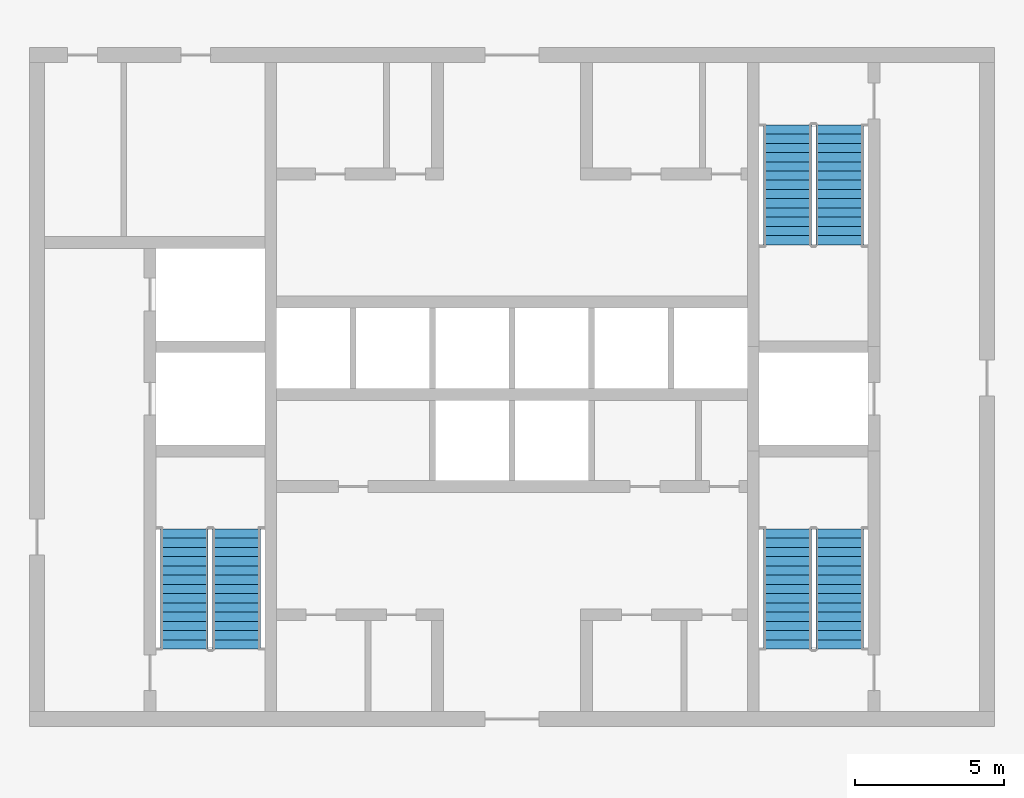
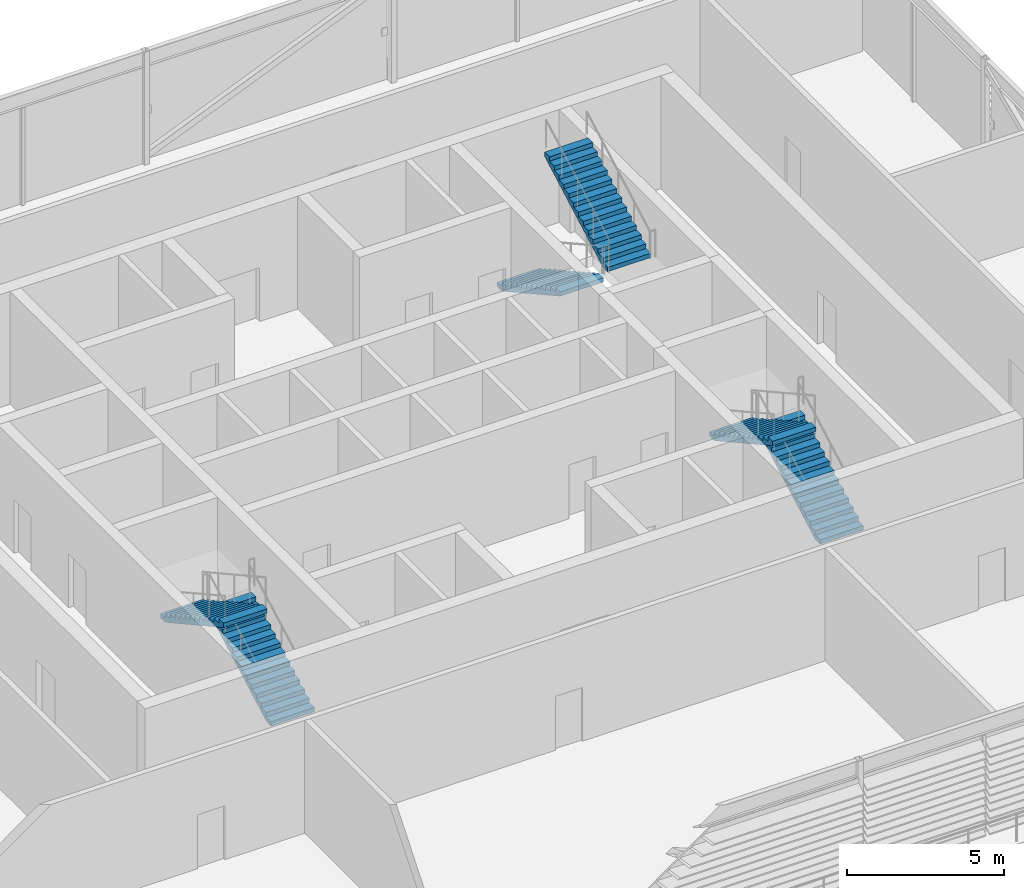
# One storey, part 17 of 29: 6 stair flights, 3 elements without a shape of their own.
"""IFC4 building model written with IfcOpenShell, lengths in metres."""

from ifc_helpers import new_model, si_unit, direction, frame, origin, place, context, subcontext, project, spatial, polyline, outline, extrude, material, type_object, element, aggregate, save


model = new_model("IFC4")

# Units and contexts
model_context = context("Model", 3, precision=1e-05, world=origin(), true_north=direction((0.0, 1.0)))
body_context = subcontext(model_context, "Body", "Model", "MODEL_VIEW")
ifc_project = project(units=[si_unit("LENGTHUNIT", "METRE"), si_unit("AREAUNIT", "SQUARE_METRE"), si_unit("VOLUMEUNIT", "CUBIC_METRE"), si_unit("PLANEANGLEUNIT", "RADIAN"), si_unit("MASSUNIT", "GRAM", prefix="KILO")], contexts=[model_context])

# Site, building, storey
site_placement = place(None, origin())
site = spatial("IfcSite", under=ifc_project, at=site_placement, CompositionType="ELEMENT")
building_placement = place(site_placement, origin())
building = spatial("IfcBuilding", under=site, at=building_placement, Name="Madar Terraces", CompositionType="ELEMENT")
storey_placement = place(building_placement, frame((0.0, 0.0, 296.300048828125)))
storey = spatial("IfcBuildingStorey", under=building, at=storey_placement, Name="L77", CompositionType="ELEMENT", Elevation=296.300048828125)

# Stair, stair flights
ifc_material_1 = material(Name="Concrete C50/60", Category="concrete")
stair_type_1 = type_object("IfcStairType", Name="Stair ST1 protected exit", PredefinedType="HALF_TURN_STAIR", material=ifc_material_1)
stair_1_placement = place(storey_placement, origin())
stair_1 = element("IfcStair", 1, at=stair_1_placement, inside=storey, type_object=stair_type_1, Name="L77 Protected Exit Stair ST1", PredefinedType="HALF_TURN_STAIR")
ifc_material_2 = material(Name="Concrete C50/60", Category="concrete")
stair_flight_type_1 = type_object("IfcStairFlightType", Name="Stair flight ST1-F5, 1600 wide, 14 risers", PredefinedType="STRAIGHT", material=ifc_material_2)
stair_flight_1_placement = place(storey_placement, frame((21.949951171875, 17.60009765625, 0.0), z_axis=(0.0, 0.0, 1.0), x_axis=(0.0, 1.0, 0.0)))
stair_flight_1 = element("IfcStairFlight", 2, at=stair_flight_1_placement, type_object=stair_flight_type_1, Name="ST1 flight 1", NumberOfRisers=14, NumberOfTreads=13, PredefinedType="STRAIGHT", RiserHeight=0.171428571, TreadLength=0.31, context=body_context, shape_type="SweptSolid", body=[
    extrude(outline(polyline([(0.0, 0.0), (0.0, 0.17138671875), (0.31005859375, 0.17138671875), (0.31005859375, 0.3427734375), (0.6201171875, 0.3427734375), (0.6201171875, 0.514404296875), (0.929931640625, 0.514404296875), (0.929931640625, 0.685791015625), (1.239990234375, 0.685791015625), (1.239990234375, 0.857177734375), (1.550048828125, 0.857177734375), (1.550048828125, 1.028564453125), (1.860107421875, 1.028564453125), (1.860107421875, 1.199951171875), (2.169921875, 1.199951171875), (2.169921875, 1.371337890625), (2.47998046875, 1.371337890625), (2.47998046875, 1.54296875), (2.7900390625, 1.54296875), (2.7900390625, 1.71435546875), (3.10009765625, 1.71435546875), (3.10009765625, 1.8857421875), (3.409912109375, 1.8857421875), (3.409912109375, 2.05712890625), (3.719970703125, 2.05712890625), (3.719970703125, 2.228515625), (4.030029296875, 2.228515625), (4.030029296875, 2.39990234375), (4.030029296875, 2.057373046875), (0.309814453125, 0.0), (0.0, 0.0)])), frame((0.0, 0.800048828125, 0.0), z_axis=(0.0, -1.0, 0.0), x_axis=(1.0, 0.0, 0.0)), (0.0, 0.0, 1.0), 1.60009765625),
])
stair_flight_2_placement = place(storey_placement, frame((20.199951171875, 21.6298828125, 2.39990234375), z_axis=(0.0, 0.0, 1.0), x_axis=(0.0, -1.0, 0.0)))
stair_flight_2 = element("IfcStairFlight", 3, at=stair_flight_2_placement, type_object=stair_flight_type_1, Name="ST1 flight 2", NumberOfRisers=14, NumberOfTreads=13, PredefinedType="STRAIGHT", RiserHeight=0.171428571, TreadLength=0.31, context=body_context, shape_type="SweptSolid", body=[
    extrude(outline(polyline([(0.0, 0.0), (0.0, 0.17138671875), (0.31005859375, 0.17138671875), (0.31005859375, 0.3427734375), (0.6201171875, 0.3427734375), (0.6201171875, 0.514404296875), (0.929931640625, 0.514404296875), (0.929931640625, 0.685791015625), (1.239990234375, 0.685791015625), (1.239990234375, 0.857177734375), (1.550048828125, 0.857177734375), (1.550048828125, 1.028564453125), (1.860107421875, 1.028564453125), (1.860107421875, 1.199951171875), (2.169921875, 1.199951171875), (2.169921875, 1.371337890625), (2.47998046875, 1.371337890625), (2.47998046875, 1.54296875), (2.7900390625, 1.54296875), (2.7900390625, 1.71435546875), (3.10009765625, 1.71435546875), (3.10009765625, 1.8857421875), (3.409912109375, 1.8857421875), (3.409912109375, 2.05712890625), (3.719970703125, 2.05712890625), (3.719970703125, 2.228515625), (4.030029296875, 2.228515625), (4.030029296875, 2.39990234375), (4.030029296875, 2.057373046875), (0.309814453125, 0.0), (0.0, 0.0)])), frame((0.0, 0.800048828125, 0.0), z_axis=(0.0, -1.0, 0.0), x_axis=(1.0, 0.0, 0.0)), (0.0, 0.0, 1.0), 1.60009765625),
])
aggregate(stair_1, [stair_flight_1, stair_flight_2])

ifc_material_3 = material(Name="Concrete C50/60", Category="concrete")
stair_type_2 = type_object("IfcStairType", Name="Stair ST2 protected exit", PredefinedType="HALF_TURN_STAIR", material=ifc_material_3)
stair_2_placement = place(storey_placement, origin())
stair_2 = element("IfcStair", 4, at=stair_2_placement, inside=storey, type_object=stair_type_2, Name="L77 Protected Exit Stair ST2", PredefinedType="HALF_TURN_STAIR")
ifc_material_4 = material(Name="Concrete C50/60", Category="concrete")
stair_flight_type_2 = type_object("IfcStairFlightType", Name="Stair flight ST2-F5, 1600 wide, 14 risers", PredefinedType="STRAIGHT", material=ifc_material_4)
stair_flight_3_placement = place(storey_placement, frame((40.449951171875, 35.199951171875, 0.0), z_axis=(0.0, 0.0, 1.0), x_axis=(0.0, -1.0, 0.0)))
stair_flight_3 = element("IfcStairFlight", 5, at=stair_flight_3_placement, type_object=stair_flight_type_2, Name="ST2 flight 1", NumberOfRisers=14, NumberOfTreads=13, PredefinedType="STRAIGHT", RiserHeight=0.171428571, TreadLength=0.31, context=body_context, shape_type="SweptSolid", body=[
    extrude(outline(polyline([(0.0, 0.0), (0.0, 0.17138671875), (0.31005859375, 0.17138671875), (0.31005859375, 0.3427734375), (0.6201171875, 0.3427734375), (0.6201171875, 0.514404296875), (0.929931640625, 0.514404296875), (0.929931640625, 0.685791015625), (1.239990234375, 0.685791015625), (1.239990234375, 0.857177734375), (1.550048828125, 0.857177734375), (1.550048828125, 1.028564453125), (1.860107421875, 1.028564453125), (1.860107421875, 1.199951171875), (2.169921875, 1.199951171875), (2.169921875, 1.371337890625), (2.47998046875, 1.371337890625), (2.47998046875, 1.54296875), (2.7900390625, 1.54296875), (2.7900390625, 1.71435546875), (3.10009765625, 1.71435546875), (3.10009765625, 1.8857421875), (3.409912109375, 1.8857421875), (3.409912109375, 2.05712890625), (3.719970703125, 2.05712890625), (3.719970703125, 2.228515625), (4.030029296875, 2.228515625), (4.030029296875, 2.39990234375), (4.030029296875, 2.057373046875), (0.309814453125, 0.0), (0.0, 0.0)])), frame((0.0, 0.800048828125, 0.0), z_axis=(0.0, -1.0, 0.0), x_axis=(1.0, 0.0, 0.0)), (0.0, 0.0, 1.0), 1.60009765625),
])
stair_flight_4_placement = place(storey_placement, frame((42.199951171875, 31.169921875, 2.39990234375), z_axis=(0.0, 0.0, 1.0), x_axis=(0.0, 1.0, 0.0)))
stair_flight_4 = element("IfcStairFlight", 6, at=stair_flight_4_placement, type_object=stair_flight_type_2, Name="ST2 flight 2", NumberOfRisers=14, NumberOfTreads=13, PredefinedType="STRAIGHT", RiserHeight=0.171428571, TreadLength=0.31, context=body_context, shape_type="SweptSolid", body=[
    extrude(outline(polyline([(0.0, 0.0), (0.0, 0.17138671875), (0.31005859375, 0.17138671875), (0.31005859375, 0.3427734375), (0.6201171875, 0.3427734375), (0.6201171875, 0.514404296875), (0.929931640625, 0.514404296875), (0.929931640625, 0.685791015625), (1.239990234375, 0.685791015625), (1.239990234375, 0.857177734375), (1.550048828125, 0.857177734375), (1.550048828125, 1.028564453125), (1.860107421875, 1.028564453125), (1.860107421875, 1.199951171875), (2.169921875, 1.199951171875), (2.169921875, 1.371337890625), (2.47998046875, 1.371337890625), (2.47998046875, 1.54296875), (2.7900390625, 1.54296875), (2.7900390625, 1.71435546875), (3.10009765625, 1.71435546875), (3.10009765625, 1.8857421875), (3.409912109375, 1.8857421875), (3.409912109375, 2.05712890625), (3.719970703125, 2.05712890625), (3.719970703125, 2.228515625), (4.030029296875, 2.228515625), (4.030029296875, 2.39990234375), (4.030029296875, 2.057373046875), (0.309814453125, 0.0), (0.0, 0.0)])), frame((0.0, 0.800048828125, 0.0), z_axis=(0.0, -1.0, 0.0), x_axis=(1.0, 0.0, 0.0)), (0.0, 0.0, 1.0), 1.60009765625),
])
aggregate(stair_2, [stair_flight_3, stair_flight_4])

ifc_material_5 = material(Name="Concrete C50/60", Category="concrete")
stair_type_3 = type_object("IfcStairType", Name="Stair ST3 protected exit", PredefinedType="HALF_TURN_STAIR", material=ifc_material_5)
stair_3_placement = place(storey_placement, origin())
stair_3 = element("IfcStair", 7, at=stair_3_placement, inside=storey, type_object=stair_type_3, Name="L77 Protected Exit Stair ST3", PredefinedType="HALF_TURN_STAIR")
ifc_material_6 = material(Name="Concrete C50/60", Category="concrete")
stair_flight_type_3 = type_object("IfcStairFlightType", Name="Stair flight ST3-F5, 1600 wide, 14 risers", PredefinedType="STRAIGHT", material=ifc_material_6)
stair_flight_5_placement = place(storey_placement, frame((42.199951171875, 17.60009765625, 0.0), z_axis=(0.0, 0.0, 1.0), x_axis=(0.0, 1.0, 0.0)))
stair_flight_5 = element("IfcStairFlight", 8, at=stair_flight_5_placement, type_object=stair_flight_type_3, Name="ST3 flight 1", NumberOfRisers=14, NumberOfTreads=13, PredefinedType="STRAIGHT", RiserHeight=0.171428571, TreadLength=0.31, context=body_context, shape_type="SweptSolid", body=[
    extrude(outline(polyline([(0.0, 0.0), (0.0, 0.17138671875), (0.31005859375, 0.17138671875), (0.31005859375, 0.3427734375), (0.6201171875, 0.3427734375), (0.6201171875, 0.514404296875), (0.929931640625, 0.514404296875), (0.929931640625, 0.685791015625), (1.239990234375, 0.685791015625), (1.239990234375, 0.857177734375), (1.550048828125, 0.857177734375), (1.550048828125, 1.028564453125), (1.860107421875, 1.028564453125), (1.860107421875, 1.199951171875), (2.169921875, 1.199951171875), (2.169921875, 1.371337890625), (2.47998046875, 1.371337890625), (2.47998046875, 1.54296875), (2.7900390625, 1.54296875), (2.7900390625, 1.71435546875), (3.10009765625, 1.71435546875), (3.10009765625, 1.8857421875), (3.409912109375, 1.8857421875), (3.409912109375, 2.05712890625), (3.719970703125, 2.05712890625), (3.719970703125, 2.228515625), (4.030029296875, 2.228515625), (4.030029296875, 2.39990234375), (4.030029296875, 2.057373046875), (0.309814453125, 0.0), (0.0, 0.0)])), frame((0.0, 0.800048828125, 0.0), z_axis=(0.0, -1.0, 0.0), x_axis=(1.0, 0.0, 0.0)), (0.0, 0.0, 1.0), 1.60009765625),
])
stair_flight_6_placement = place(storey_placement, frame((40.449951171875, 21.6298828125, 2.39990234375), z_axis=(0.0, 0.0, 1.0), x_axis=(0.0, -1.0, 0.0)))
stair_flight_6 = element("IfcStairFlight", 9, at=stair_flight_6_placement, type_object=stair_flight_type_3, Name="ST3 flight 2", NumberOfRisers=14, NumberOfTreads=13, PredefinedType="STRAIGHT", RiserHeight=0.171428571, TreadLength=0.31, context=body_context, shape_type="SweptSolid", body=[
    extrude(outline(polyline([(0.0, 0.0), (0.0, 0.17138671875), (0.31005859375, 0.17138671875), (0.31005859375, 0.3427734375), (0.6201171875, 0.3427734375), (0.6201171875, 0.514404296875), (0.929931640625, 0.514404296875), (0.929931640625, 0.685791015625), (1.239990234375, 0.685791015625), (1.239990234375, 0.857177734375), (1.550048828125, 0.857177734375), (1.550048828125, 1.028564453125), (1.860107421875, 1.028564453125), (1.860107421875, 1.199951171875), (2.169921875, 1.199951171875), (2.169921875, 1.371337890625), (2.47998046875, 1.371337890625), (2.47998046875, 1.54296875), (2.7900390625, 1.54296875), (2.7900390625, 1.71435546875), (3.10009765625, 1.71435546875), (3.10009765625, 1.8857421875), (3.409912109375, 1.8857421875), (3.409912109375, 2.05712890625), (3.719970703125, 2.05712890625), (3.719970703125, 2.228515625), (4.030029296875, 2.228515625), (4.030029296875, 2.39990234375), (4.030029296875, 2.057373046875), (0.309814453125, 0.0), (0.0, 0.0)])), frame((0.0, 0.800048828125, 0.0), z_axis=(0.0, -1.0, 0.0), x_axis=(1.0, 0.0, 0.0)), (0.0, 0.0, 1.0), 1.60009765625),
])
aggregate(stair_3, [stair_flight_5, stair_flight_6])

save(model, "model.ifc")
